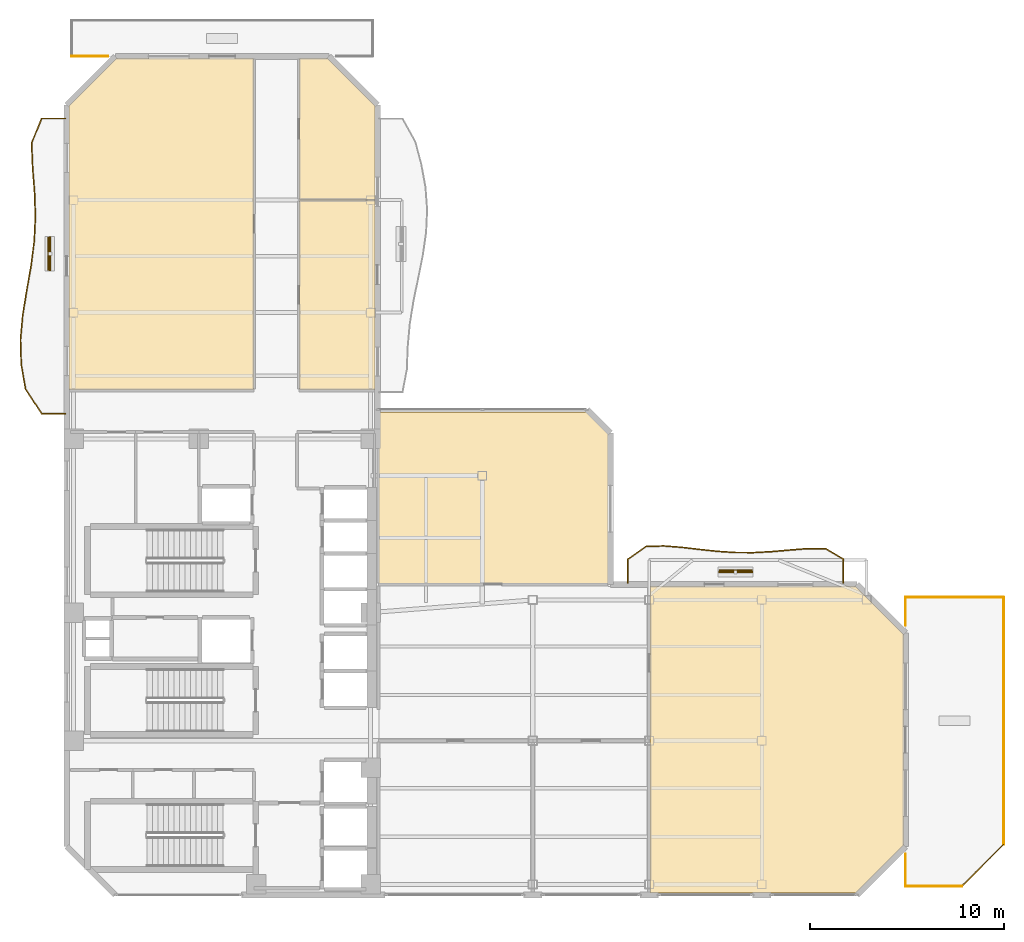
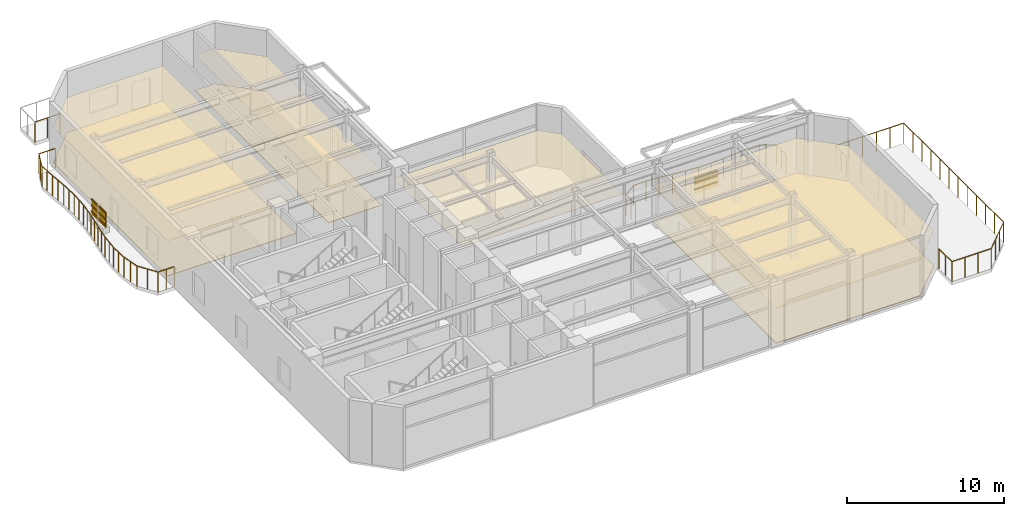
# One storey, part 15 of 16: 9 coverings, 9 railings, 8 shading devices.
"""IFC4 building model written with IfcOpenShell, lengths in metres."""

from ifc_helpers import new_model, si_unit, direction, frame, origin, origin_2d, place, context, subcontext, project, spatial, polyline, rectangle, outline, extrude, material, layer, layer_set, material_profile, profile_set, type_object, element, save


model = new_model("IFC4")

# Units and contexts
model_context = context("Model", 3, precision=1e-05, world=origin(), true_north=direction((0.0, 1.0)))
body_context = subcontext(model_context, "Body", "Model", "MODEL_VIEW")
ifc_project = project(units=[si_unit("LENGTHUNIT", "METRE"), si_unit("AREAUNIT", "SQUARE_METRE"), si_unit("VOLUMEUNIT", "CUBIC_METRE"), si_unit("PLANEANGLEUNIT", "RADIAN"), si_unit("MASSUNIT", "GRAM", prefix="KILO")], contexts=[model_context])

# Site, building, storey
site_placement = place(None, origin())
site = spatial("IfcSite", under=ifc_project, at=site_placement, CompositionType="ELEMENT")
building_placement = place(site_placement, origin())
building = spatial("IfcBuilding", under=site, at=building_placement, Name="Mawjaban Terraces University", CompositionType="ELEMENT")
storey_placement = place(building_placement, frame((0.0, 0.0, 170.800048828125)))
storey = spatial("IfcBuildingStorey", under=building, at=storey_placement, Name="L41", CompositionType="ELEMENT", Elevation=170.800048828125)

# Coverings
ifc_material_1 = material(Name="Acoustic mineral fibre ceiling tile", Category="masonry")
ifc_layer_1 = layer(ifc_material_1, 0.02001953125)
ifc_layer_set_1 = layer_set([ifc_layer_1], Name="Acoustic mineral fibre ceiling tile")
covering_type_1 = type_object("IfcCoveringType", Name="AcousticMineralCeiling_20", PredefinedType="CEILING", material=ifc_layer_set_1)
covering_1_placement = place(storey_placement, frame((0.0, 0.0, 2.75)))
element("IfcCovering", 1, at=covering_1_placement, inside=storey, type_object=covering_type_1, Name="L41 Mid-to-High Sky Lounge Acoustic Ceiling", PredefinedType="CEILING", context=body_context, shape_type="SweptSolid", body=[
    extrude(outline(polyline([(52.030029296875, 0.114990234375), (62.653076171875, 0.114990234375), (65.0849609375, 2.547119140625), (65.0849609375, 13.452880859375), (62.653076171875, 15.885009765625), (52.030029296875, 15.885009765625), (52.030029296875, 0.114990234375)])), origin(), (0.0, 0.0, 1.0), 0.02001953125),
])
covering_2_placement = place(storey_placement, frame((0.0, 0.0, 2.75)))
element("IfcCovering", 2, at=covering_2_placement, inside=storey, type_object=covering_type_1, Name="L41 Terrace Study Salon Acoustic Ceiling", PredefinedType="CEILING", context=body_context, shape_type="SweptSolid", body=[
    extrude(outline(polyline([(49.885009765625, 16.030029296875), (49.885009765625, 23.7529296875), (48.7529296875, 24.885009765625), (38.080078125, 24.885009765625), (38.080078125, 16.030029296875), (49.885009765625, 16.030029296875)])), origin(), (0.0, 0.0, 1.0), 0.02001953125),
])
covering_3_placement = place(storey_placement, frame((0.0, 0.0, 2.75)))
element("IfcCovering", 3, at=covering_3_placement, inside=storey, type_object=covering_type_1, Name="L41 Honours Seminar Room Acoustic Ceiling", PredefinedType="CEILING", context=body_context, shape_type="SweptSolid", body=[
    extrude(outline(polyline([(37.885009765625, 26.030029296875), (37.885009765625, 35.77001953125), (33.97998046875, 35.77001953125), (33.97998046875, 26.030029296875), (37.885009765625, 26.030029296875)])), origin(), (0.0, 0.0, 1.0), 0.02001953125),
])
covering_4_placement = place(storey_placement, frame((0.0, 0.0, 2.75)))
element("IfcCovering", 4, at=covering_4_placement, inside=storey, type_object=covering_type_1, Name="L41 Graduate Tutorial Room Acoustic Ceiling", PredefinedType="CEILING", context=body_context, shape_type="SweptSolid", body=[
    extrude(outline(polyline([(37.885009765625, 35.830078125), (37.885009765625, 40.653076171875), (35.452880859375, 43.0849609375), (33.97998046875, 43.0849609375), (33.97998046875, 35.830078125), (37.885009765625, 35.830078125)])), origin(), (0.0, 0.0, 1.0), 0.02001953125),
])
covering_5_placement = place(storey_placement, frame((0.0, 0.0, 2.75)))
element("IfcCovering", 5, at=covering_5_placement, inside=storey, type_object=covering_type_1, Name="L41 Quiet Reading Lounge Acoustic Ceiling", PredefinedType="CEILING", context=body_context, shape_type="SweptSolid", body=[
    extrude(outline(polyline([(31.6201171875, 43.0849609375), (24.547119140625, 43.0849609375), (22.114990234375, 40.653076171875), (22.114990234375, 26.030029296875), (31.6201171875, 26.030029296875), (31.6201171875, 43.0849609375)])), origin(), (0.0, 0.0, 1.0), 0.02001953125),
])

# Railings
ifc_material_2 = material(Name="Galvanised powder-coated steel S355", Category="steel")
railing_type = type_object("IfcRailingType", Name="BalconyBalustrade_1600", PredefinedType="BALUSTRADE", material=ifc_material_2)
railing_1_placement = place(storey_placement, frame((21.919921875, 24.800048828125, 0.0)))
element("IfcRailing", 6, at=railing_1_placement, inside=storey, type_object=railing_type, Name="L41 Balcony Guardrail west", PredefinedType="BALUSTRADE", context=body_context, shape_type="SweptSolid", body=[
    extrude(rectangle(XDim=0.048095703125, YDim=0.048095703125, at=origin_2d()), frame((0.0, 0.0, 1.576171875), z_axis=(-1.0, 0.0, 0.0), x_axis=(0.0, -1.0, 0.0)), (0.0, 0.0, 1.0), 1.219970703125),
    extrude(rectangle(XDim=0.048095703125, YDim=0.048095703125, at=origin_2d()), frame((-1.219970703125, 0.0, 1.576171875), z_axis=(-0.5470450604, 0.837103160842, 0.0), x_axis=(-0.837103160842, -0.5470450604, 0.0)), (0.0, 0.0, 1.0), 1.513427734375),
    extrude(rectangle(XDim=0.048095703125, YDim=0.048095703125, at=origin_2d()), frame((-2.0478515625, 1.266845703125, 1.576171875), z_axis=(-0.173568665192, 0.984821769897, 0.0), x_axis=(-0.984821769897, -0.173568665192, 0.0)), (0.0, 0.0, 1.0), 1.28564453125),
    extrude(rectangle(XDim=0.048095703125, YDim=0.048095703125, at=origin_2d()), frame((-2.27099609375, 2.532958984375, 1.576171875), z_axis=(-0.029082106154, 0.999577026097, 0.0), x_axis=(-0.999577026097, -0.029082106154, 0.0)), (0.0, 0.0, 1.0), 1.267578125),
    extrude(rectangle(XDim=0.048095703125, YDim=0.048095703125, at=origin_2d()), frame((-2.307861328125, 3.800048828125, 1.576171875), z_axis=(0.088874127313, 0.99604286529, 0.0), x_axis=(-0.99604286529, 0.088874127313, 0.0)), (0.0, 0.0, 1.0), 1.27197265625),
    extrude(rectangle(XDim=0.048095703125, YDim=0.048095703125, at=origin_2d()), frame((-2.19482421875, 5.06689453125, 1.576171875), z_axis=(0.161188642831, 0.986923614786, 0.0), x_axis=(-0.986923614786, 0.161188642831, 0.0)), (0.0, 0.0, 1.0), 1.282958984375),
    extrude(rectangle(XDim=0.048095703125, YDim=0.048095703125, at=origin_2d()), frame((-1.988037109375, 6.3330078125, 1.576171875), z_axis=(0.172734863386, 0.98496835836, 0.0), x_axis=(-0.98496835836, 0.172734863386, 0.0)), (0.0, 0.0, 1.0), 1.2861328125),
    extrude(rectangle(XDim=0.048095703125, YDim=0.048095703125, at=origin_2d()), frame((-1.765869140625, 7.599853515625, 1.576171875), z_axis=(0.128407863151, 0.991721443088, 0.0), x_axis=(-0.991721443088, 0.128407863151, 0.0)), (0.0, 0.0, 1.0), 1.277587890625),
    extrude(rectangle(XDim=0.048095703125, YDim=0.048095703125, at=origin_2d()), frame((-1.601806640625, 8.866943359375, 1.576171875), z_axis=(0.047189944818, 0.998885933982, 0.0), x_axis=(-0.998885933982, 0.047189944818, 0.0)), (0.0, 0.0, 1.0), 1.267578125),
    extrude(rectangle(XDim=0.048095703125, YDim=0.048095703125, at=origin_2d()), frame((-1.5419921875, 10.133056640625, 1.576171875), z_axis=(-0.033898410087, 0.999425283747, 0.0), x_axis=(-0.999425283747, -0.033898410087, 0.0)), (0.0, 0.0, 1.0), 1.267578125),
    extrude(rectangle(XDim=0.048095703125, YDim=0.048095703125, at=origin_2d()), frame((-1.5849609375, 11.39990234375, 1.576171875), z_axis=(-0.077034374457, 0.997028437484, 0.0), x_axis=(-0.997028437484, -0.077034374457, 0.0)), (0.0, 0.0, 1.0), 1.270751953125),
    extrude(rectangle(XDim=0.048095703125, YDim=0.048095703125, at=origin_2d()), frame((-1.682861328125, 12.6669921875, 1.576171875), z_axis=(-0.042584286596, 0.999092877832, 0.0), x_axis=(-0.999092877832, -0.042584286596, 0.0)), (0.0, 0.0, 1.0), 1.26708984375),
    extrude(rectangle(XDim=0.048095703125, YDim=0.048095703125, at=origin_2d()), frame((-1.73681640625, 13.932861328125, 1.576171875), z_axis=(0.377687880117, 0.925932970151, 0.0), x_axis=(-0.925932970151, 0.377687880117, 0.0)), (0.0, 0.0, 1.0), 1.368408203125),
    extrude(rectangle(XDim=0.048095703125, YDim=0.048095703125, at=origin_2d()), frame((-1.219970703125, 15.199951171875, 1.576171875), z_axis=(1.0, 0.0, 0.0), x_axis=(0.0, 1.0, 0.0)), (0.0, 0.0, 1.0), 1.219970703125),
    extrude(rectangle(XDim=0.0419921875, YDim=0.0419921875, at=origin_2d()), origin(), (0.0, 0.0, 1.0), 1.552001953125),
    extrude(rectangle(XDim=0.0419921875, YDim=0.0419921875, at=origin_2d()), frame((-0.60986328125, 0.0, 0.0)), (0.0, 0.0, 1.0), 1.552001953125),
    extrude(rectangle(XDim=0.0419921875, YDim=0.0419921875, at=origin_2d()), frame((-1.219970703125, 0.0, 0.0)), (0.0, 0.0, 1.0), 1.552001953125),
    extrude(rectangle(XDim=0.0419921875, YDim=0.0419921875, at=origin_2d()), frame((-1.6337890625, 0.63330078125, 0.0)), (0.0, 0.0, 1.0), 1.552001953125),
    extrude(rectangle(XDim=0.0419921875, YDim=0.0419921875, at=origin_2d()), frame((-2.0478515625, 1.266845703125, 0.0)), (0.0, 0.0, 1.0), 1.552001953125),
    extrude(rectangle(XDim=0.0419921875, YDim=0.0419921875, at=origin_2d()), frame((-2.159423828125, 1.89990234375, 0.0)), (0.0, 0.0, 1.0), 1.552001953125),
    extrude(rectangle(XDim=0.0419921875, YDim=0.0419921875, at=origin_2d()), frame((-2.27099609375, 2.532958984375, 0.0)), (0.0, 0.0, 1.0), 1.552001953125),
    extrude(rectangle(XDim=0.0419921875, YDim=0.0419921875, at=origin_2d()), frame((-2.28955078125, 3.16650390625, 0.0)), (0.0, 0.0, 1.0), 1.552001953125),
    extrude(rectangle(XDim=0.0419921875, YDim=0.0419921875, at=origin_2d()), frame((-2.307861328125, 3.800048828125, 0.0)), (0.0, 0.0, 1.0), 1.552001953125),
    extrude(rectangle(XDim=0.0419921875, YDim=0.0419921875, at=origin_2d()), frame((-2.25146484375, 4.43359375, 0.0)), (0.0, 0.0, 1.0), 1.552001953125),
    extrude(rectangle(XDim=0.0419921875, YDim=0.0419921875, at=origin_2d()), frame((-2.19482421875, 5.06689453125, 0.0)), (0.0, 0.0, 1.0), 1.552001953125),
    extrude(rectangle(XDim=0.0419921875, YDim=0.0419921875, at=origin_2d()), frame((-2.09130859375, 5.699951171875, 0.0)), (0.0, 0.0, 1.0), 1.552001953125),
    extrude(rectangle(XDim=0.0419921875, YDim=0.0419921875, at=origin_2d()), frame((-1.988037109375, 6.3330078125, 0.0)), (0.0, 0.0, 1.0), 1.552001953125),
    extrude(rectangle(XDim=0.0419921875, YDim=0.0419921875, at=origin_2d()), frame((-1.876953125, 6.96630859375, 0.0)), (0.0, 0.0, 1.0), 1.552001953125),
    extrude(rectangle(XDim=0.0419921875, YDim=0.0419921875, at=origin_2d()), frame((-1.765869140625, 7.599853515625, 0.0)), (0.0, 0.0, 1.0), 1.552001953125),
    extrude(rectangle(XDim=0.0419921875, YDim=0.0419921875, at=origin_2d()), frame((-1.683837890625, 8.2333984375, 0.0)), (0.0, 0.0, 1.0), 1.552001953125),
    extrude(rectangle(XDim=0.0419921875, YDim=0.0419921875, at=origin_2d()), frame((-1.601806640625, 8.866943359375, 0.0)), (0.0, 0.0, 1.0), 1.552001953125),
    extrude(rectangle(XDim=0.0419921875, YDim=0.0419921875, at=origin_2d()), frame((-1.57177734375, 9.5, 0.0)), (0.0, 0.0, 1.0), 1.552001953125),
    extrude(rectangle(XDim=0.0419921875, YDim=0.0419921875, at=origin_2d()), frame((-1.5419921875, 10.133056640625, 0.0)), (0.0, 0.0, 1.0), 1.552001953125),
    extrude(rectangle(XDim=0.0419921875, YDim=0.0419921875, at=origin_2d()), frame((-1.5634765625, 10.7666015625, 0.0)), (0.0, 0.0, 1.0), 1.552001953125),
    extrude(rectangle(XDim=0.0419921875, YDim=0.0419921875, at=origin_2d()), frame((-1.5849609375, 11.39990234375, 0.0)), (0.0, 0.0, 1.0), 1.552001953125),
    extrude(rectangle(XDim=0.0419921875, YDim=0.0419921875, at=origin_2d()), frame((-1.6337890625, 12.033447265625, 0.0)), (0.0, 0.0, 1.0), 1.552001953125),
    extrude(rectangle(XDim=0.0419921875, YDim=0.0419921875, at=origin_2d()), frame((-1.682861328125, 12.6669921875, 0.0)), (0.0, 0.0, 1.0), 1.552001953125),
    extrude(rectangle(XDim=0.0419921875, YDim=0.0419921875, at=origin_2d()), frame((-1.7099609375, 13.2998046875, 0.0)), (0.0, 0.0, 1.0), 1.552001953125),
    extrude(rectangle(XDim=0.0419921875, YDim=0.0419921875, at=origin_2d()), frame((-1.73681640625, 13.932861328125, 0.0)), (0.0, 0.0, 1.0), 1.552001953125),
    extrude(rectangle(XDim=0.0419921875, YDim=0.0419921875, at=origin_2d()), frame((-1.478515625, 14.56640625, 0.0)), (0.0, 0.0, 1.0), 1.552001953125),
    extrude(rectangle(XDim=0.0419921875, YDim=0.0419921875, at=origin_2d()), frame((-1.219970703125, 15.199951171875, 0.0)), (0.0, 0.0, 1.0), 1.552001953125),
    extrude(rectangle(XDim=0.0419921875, YDim=0.0419921875, at=origin_2d()), frame((-0.60986328125, 15.199951171875, 0.0)), (0.0, 0.0, 1.0), 1.552001953125),
    extrude(rectangle(XDim=0.0419921875, YDim=0.0419921875, at=origin_2d()), frame((0.0, 15.199951171875, 0.0)), (0.0, 0.0, 1.0), 1.552001953125),
])
railing_2_placement = place(storey_placement, frame((50.89990234375, 16.080078125, 0.0)))
element("IfcRailing", 7, at=railing_2_placement, inside=storey, type_object=railing_type, Name="L41 Balcony Guardrail inner_north", PredefinedType="BALUSTRADE", context=body_context, shape_type="SweptSolid", body=[
    extrude(rectangle(XDim=0.048095703125, YDim=0.048095703125, at=origin_2d()), frame((0.0, 0.0, 1.576171875), z_axis=(0.0, 1.0, 0.0), x_axis=(-1.0, 0.0, 0.0)), (0.0, 0.0, 1.0), 1.219970703125),
    extrude(rectangle(XDim=0.048095703125, YDim=0.048095703125, at=origin_2d()), frame((0.0, 1.219970703125, 1.576171875), z_axis=(0.816113366586, 0.57789183493, 0.0), x_axis=(-0.57789183493, 0.816113366586, 0.0)), (0.0, 0.0, 1.0), 1.133544921875),
    extrude(rectangle(XDim=0.048095703125, YDim=0.048095703125, at=origin_2d()), frame((0.925048828125, 1.875, 1.576171875), z_axis=(0.999473512656, 0.032445300094, 0.0), x_axis=(-0.032445300094, 0.999473512656, 0.0)), (0.0, 0.0, 1.0), 0.925537109375),
    extrude(rectangle(XDim=0.048095703125, YDim=0.048095703125, at=origin_2d()), frame((1.85009765625, 1.905029296875, 1.576171875), z_axis=(0.996982857195, -0.077622048792, 0.0), x_axis=(0.077622048792, 0.996982857195, 0.0)), (0.0, 0.0, 1.0), 0.927734375),
    extrude(rectangle(XDim=0.048095703125, YDim=0.048095703125, at=origin_2d()), frame((2.775146484375, 1.8330078125, 1.576171875), z_axis=(0.99311298172, -0.11716059721, 0.0), x_axis=(0.11716059721, 0.99311298172, 0.0)), (0.0, 0.0, 1.0), 0.931396484375),
    extrude(rectangle(XDim=0.048095703125, YDim=0.048095703125, at=origin_2d()), frame((3.7001953125, 1.723876953125, 1.576171875), z_axis=(0.994332962173, -0.106310678374, 0.0), x_axis=(0.106310678374, 0.994332962173, 0.0)), (0.0, 0.0, 1.0), 0.93017578125),
    extrude(rectangle(XDim=0.048095703125, YDim=0.048095703125, at=origin_2d()), frame((4.625, 1.625, 1.576171875), z_axis=(0.997899026058, -0.064788376989, 0.0), x_axis=(0.064788376989, 0.997899026058, 0.0)), (0.0, 0.0, 1.0), 0.927001953125),
    extrude(rectangle(XDim=0.048095703125, YDim=0.048095703125, at=origin_2d()), frame((5.550048828125, 1.56494140625, 1.576171875), z_axis=(0.999994984895, -0.003167046666, 0.0), x_axis=(0.003167046666, 0.999994984895, 0.0)), (0.0, 0.0, 1.0), 0.925048828125),
    extrude(rectangle(XDim=0.048095703125, YDim=0.048095703125, at=origin_2d()), frame((6.47509765625, 1.56201171875, 1.576171875), z_axis=(0.998553767234, 0.053762198078, 0.0), x_axis=(-0.053762198078, 0.998553767234, 0.0)), (0.0, 0.0, 1.0), 0.92626953125),
    extrude(rectangle(XDim=0.048095703125, YDim=0.048095703125, at=origin_2d()), frame((7.400146484375, 1.61181640625, 1.576171875), z_axis=(0.996183151207, 0.0872876237, 0.0), x_axis=(-0.0872876237, 0.996183151207, 0.0)), (0.0, 0.0, 1.0), 0.9287109375),
    extrude(rectangle(XDim=0.048095703125, YDim=0.048095703125, at=origin_2d()), frame((8.3251953125, 1.69287109375, 1.576171875), z_axis=(0.99681611521, 0.079734763175, 0.0), x_axis=(-0.079734763175, 0.99681611521, 0.0)), (0.0, 0.0, 1.0), 0.927734375),
    extrude(rectangle(XDim=0.048095703125, YDim=0.048095703125, at=origin_2d()), frame((9.25, 1.766845703125, 1.576171875), z_axis=(1.0, 0.0, 0.0), x_axis=(0.0, 1.0, 0.0)), (0.0, 0.0, 1.0), 0.925048828125),
    extrude(rectangle(XDim=0.048095703125, YDim=0.048095703125, at=origin_2d()), frame((10.175048828125, 1.766845703125, 1.576171875), z_axis=(0.860822482992, -0.50890534756, 0.0), x_axis=(0.50890534756, 0.860822482992, 0.0)), (0.0, 0.0, 1.0), 1.07470703125),
    extrude(rectangle(XDim=0.048095703125, YDim=0.048095703125, at=origin_2d()), frame((11.10009765625, 1.219970703125, 1.576171875), z_axis=(0.0, -1.0, 0.0), x_axis=(1.0, 0.0, 0.0)), (0.0, 0.0, 1.0), 1.219970703125),
    extrude(rectangle(XDim=0.0419921875, YDim=0.0419921875, at=origin_2d()), origin(), (0.0, 0.0, 1.0), 1.552001953125),
    extrude(rectangle(XDim=0.0419921875, YDim=0.0419921875, at=origin_2d()), frame((0.0, 0.60986328125, 0.0)), (0.0, 0.0, 1.0), 1.552001953125),
    extrude(rectangle(XDim=0.0419921875, YDim=0.0419921875, at=origin_2d()), frame((0.0, 1.219970703125, 0.0)), (0.0, 0.0, 1.0), 1.552001953125),
    extrude(rectangle(XDim=0.0419921875, YDim=0.0419921875, at=origin_2d()), frame((0.925048828125, 1.875, 0.0)), (0.0, 0.0, 1.0), 1.552001953125),
    extrude(rectangle(XDim=0.0419921875, YDim=0.0419921875, at=origin_2d()), frame((1.85009765625, 1.905029296875, 0.0)), (0.0, 0.0, 1.0), 1.552001953125),
    extrude(rectangle(XDim=0.0419921875, YDim=0.0419921875, at=origin_2d()), frame((2.775146484375, 1.8330078125, 0.0)), (0.0, 0.0, 1.0), 1.552001953125),
    extrude(rectangle(XDim=0.0419921875, YDim=0.0419921875, at=origin_2d()), frame((3.7001953125, 1.723876953125, 0.0)), (0.0, 0.0, 1.0), 1.552001953125),
    extrude(rectangle(XDim=0.0419921875, YDim=0.0419921875, at=origin_2d()), frame((4.625, 1.625, 0.0)), (0.0, 0.0, 1.0), 1.552001953125),
    extrude(rectangle(XDim=0.0419921875, YDim=0.0419921875, at=origin_2d()), frame((5.550048828125, 1.56494140625, 0.0)), (0.0, 0.0, 1.0), 1.552001953125),
    extrude(rectangle(XDim=0.0419921875, YDim=0.0419921875, at=origin_2d()), frame((6.47509765625, 1.56201171875, 0.0)), (0.0, 0.0, 1.0), 1.552001953125),
    extrude(rectangle(XDim=0.0419921875, YDim=0.0419921875, at=origin_2d()), frame((7.400146484375, 1.61181640625, 0.0)), (0.0, 0.0, 1.0), 1.552001953125),
    extrude(rectangle(XDim=0.0419921875, YDim=0.0419921875, at=origin_2d()), frame((8.3251953125, 1.69287109375, 0.0)), (0.0, 0.0, 1.0), 1.552001953125),
    extrude(rectangle(XDim=0.0419921875, YDim=0.0419921875, at=origin_2d()), frame((9.25, 1.766845703125, 0.0)), (0.0, 0.0, 1.0), 1.552001953125),
    extrude(rectangle(XDim=0.0419921875, YDim=0.0419921875, at=origin_2d()), frame((10.175048828125, 1.766845703125, 0.0)), (0.0, 0.0, 1.0), 1.552001953125),
    extrude(rectangle(XDim=0.0419921875, YDim=0.0419921875, at=origin_2d()), frame((11.10009765625, 1.219970703125, 0.0)), (0.0, 0.0, 1.0), 1.552001953125),
    extrude(rectangle(XDim=0.0419921875, YDim=0.0419921875, at=origin_2d()), frame((11.10009765625, 0.60986328125, 0.0)), (0.0, 0.0, 1.0), 1.552001953125),
    extrude(rectangle(XDim=0.0419921875, YDim=0.0419921875, at=origin_2d()), frame((11.10009765625, 0.0, 0.0)), (0.0, 0.0, 1.0), 1.552001953125),
])
railing_3_placement = place(storey_placement, frame((65.199951171875, 0.449951171875, 0.0)))
element("IfcRailing", 8, at=railing_3_placement, inside=storey, type_object=railing_type, Name="L41 Terrace Guardrail TER-L41-EAST.1", PredefinedType="BALUSTRADE", context=body_context, shape_type="SweptSolid", body=[
    extrude(rectangle(XDim=0.048095703125, YDim=0.048095703125, at=origin_2d()), frame((0.0, 0.0, 1.576171875), z_axis=(1.0, 0.0, 0.0), x_axis=(0.0, 1.0, 0.0)), (0.0, 0.0, 1.0), 2.900146484375),
    extrude(rectangle(XDim=0.0419921875, YDim=0.0419921875, at=origin_2d()), origin(), (0.0, 0.0, 1.0), 1.552001953125),
    extrude(rectangle(XDim=0.0419921875, YDim=0.0419921875, at=origin_2d()), frame((0.966796875, 0.0, 0.0)), (0.0, 0.0, 1.0), 1.552001953125),
    extrude(rectangle(XDim=0.0419921875, YDim=0.0419921875, at=origin_2d()), frame((1.933349609375, 0.0, 0.0)), (0.0, 0.0, 1.0), 1.552001953125),
    extrude(rectangle(XDim=0.0419921875, YDim=0.0419921875, at=origin_2d()), frame((2.900146484375, 0.0, 0.0)), (0.0, 0.0, 1.0), 1.552001953125),
])
railing_4_placement = place(storey_placement, frame((68.10009765625, 0.449951171875, 0.0)))
element("IfcRailing", 9, at=railing_4_placement, inside=storey, type_object=railing_type, Name="L41 Terrace Guardrail TER-L41-EAST.2", PredefinedType="BALUSTRADE", context=body_context, shape_type="SweptSolid", body=[
    extrude(rectangle(XDim=0.048095703125, YDim=0.048095703125, at=origin_2d()), frame((0.0, 0.0, 1.576171875), z_axis=(0.707066633179, 0.707146926915, 0.0), x_axis=(-0.707146926915, 0.707066633179, 0.0)), (0.0, 0.0, 1.0), 3.04052734375),
    extrude(rectangle(XDim=0.0419921875, YDim=0.0419921875, at=origin_2d()), origin(), (0.0, 0.0, 1.0), 1.552001953125),
    extrude(rectangle(XDim=0.0419921875, YDim=0.0419921875, at=origin_2d()), frame((0.716552734375, 0.716796875, 0.0)), (0.0, 0.0, 1.0), 1.552001953125),
    extrude(rectangle(XDim=0.0419921875, YDim=0.0419921875, at=origin_2d()), frame((1.433349609375, 1.433349609375, 0.0)), (0.0, 0.0, 1.0), 1.552001953125),
    extrude(rectangle(XDim=0.0419921875, YDim=0.0419921875, at=origin_2d()), frame((2.14990234375, 2.150146484375, 0.0)), (0.0, 0.0, 1.0), 1.552001953125),
])
railing_5_placement = place(storey_placement, frame((70.25, 2.60009765625, 0.0)))
element("IfcRailing", 10, at=railing_5_placement, inside=storey, type_object=railing_type, Name="L41 Terrace Guardrail TER-L41-EAST.3", PredefinedType="BALUSTRADE", context=body_context, shape_type="SweptSolid", body=[
    extrude(rectangle(XDim=0.048095703125, YDim=0.048095703125, at=origin_2d()), frame((0.0, 0.0, 1.576171875), z_axis=(0.0, 1.0, 0.0), x_axis=(-1.0, 0.0, 0.0)), (0.0, 0.0, 1.0), 12.75),
    extrude(rectangle(XDim=0.0419921875, YDim=0.0419921875, at=origin_2d()), origin(), (0.0, 0.0, 1.0), 1.552001953125),
    extrude(rectangle(XDim=0.0419921875, YDim=0.0419921875, at=origin_2d()), frame((0.0, 1.1591796875, 0.0)), (0.0, 0.0, 1.0), 1.552001953125),
    extrude(rectangle(XDim=0.0419921875, YDim=0.0419921875, at=origin_2d()), frame((0.0, 2.318115234375, 0.0)), (0.0, 0.0, 1.0), 1.552001953125),
    extrude(rectangle(XDim=0.0419921875, YDim=0.0419921875, at=origin_2d()), frame((0.0, 3.477294921875, 0.0)), (0.0, 0.0, 1.0), 1.552001953125),
    extrude(rectangle(XDim=0.0419921875, YDim=0.0419921875, at=origin_2d()), frame((0.0, 4.636474609375, 0.0)), (0.0, 0.0, 1.0), 1.552001953125),
    extrude(rectangle(XDim=0.0419921875, YDim=0.0419921875, at=origin_2d()), frame((0.0, 5.79541015625, 0.0)), (0.0, 0.0, 1.0), 1.552001953125),
    extrude(rectangle(XDim=0.0419921875, YDim=0.0419921875, at=origin_2d()), frame((0.0, 6.95458984375, 0.0)), (0.0, 0.0, 1.0), 1.552001953125),
    extrude(rectangle(XDim=0.0419921875, YDim=0.0419921875, at=origin_2d()), frame((0.0, 8.113525390625, 0.0)), (0.0, 0.0, 1.0), 1.552001953125),
    extrude(rectangle(XDim=0.0419921875, YDim=0.0419921875, at=origin_2d()), frame((0.0, 9.272705078125, 0.0)), (0.0, 0.0, 1.0), 1.552001953125),
    extrude(rectangle(XDim=0.0419921875, YDim=0.0419921875, at=origin_2d()), frame((0.0, 10.431884765625, 0.0)), (0.0, 0.0, 1.0), 1.552001953125),
    extrude(rectangle(XDim=0.0419921875, YDim=0.0419921875, at=origin_2d()), frame((0.0, 11.5908203125, 0.0)), (0.0, 0.0, 1.0), 1.552001953125),
    extrude(rectangle(XDim=0.0419921875, YDim=0.0419921875, at=origin_2d()), frame((0.0, 12.75, 0.0)), (0.0, 0.0, 1.0), 1.552001953125),
])
railing_6_placement = place(storey_placement, frame((70.25, 15.35009765625, 0.0)))
element("IfcRailing", 11, at=railing_6_placement, inside=storey, type_object=railing_type, Name="L41 Terrace Guardrail TER-L41-EAST.4", PredefinedType="BALUSTRADE", context=body_context, shape_type="SweptSolid", body=[
    extrude(rectangle(XDim=0.048095703125, YDim=0.048095703125, at=origin_2d()), frame((0.0, 0.0, 1.576171875), z_axis=(-1.0, 0.0, 0.0), x_axis=(0.0, -1.0, 0.0)), (0.0, 0.0, 1.0), 5.050048828125),
    extrude(rectangle(XDim=0.0419921875, YDim=0.0419921875, at=origin_2d()), origin(), (0.0, 0.0, 1.0), 1.552001953125),
    extrude(rectangle(XDim=0.0419921875, YDim=0.0419921875, at=origin_2d()), frame((-1.010009765625, 0.0, 0.0)), (0.0, 0.0, 1.0), 1.552001953125),
    extrude(rectangle(XDim=0.0419921875, YDim=0.0419921875, at=origin_2d()), frame((-2.02001953125, 0.0, 0.0)), (0.0, 0.0, 1.0), 1.552001953125),
    extrude(rectangle(XDim=0.0419921875, YDim=0.0419921875, at=origin_2d()), frame((-3.030029296875, 0.0, 0.0)), (0.0, 0.0, 1.0), 1.552001953125),
    extrude(rectangle(XDim=0.0419921875, YDim=0.0419921875, at=origin_2d()), frame((-4.0400390625, 0.0, 0.0)), (0.0, 0.0, 1.0), 1.552001953125),
    extrude(rectangle(XDim=0.0419921875, YDim=0.0419921875, at=origin_2d()), frame((-5.050048828125, 0.0, 0.0)), (0.0, 0.0, 1.0), 1.552001953125),
])
railing_7_placement = place(storey_placement, frame((65.199951171875, 15.35009765625, 0.0)))
element("IfcRailing", 12, at=railing_7_placement, inside=storey, type_object=railing_type, Name="L41 Terrace Guardrail TER-L41-EAST.5", PredefinedType="BALUSTRADE", context=body_context, shape_type="SweptSolid", body=[
    extrude(rectangle(XDim=0.048095703125, YDim=0.048095703125, at=origin_2d()), frame((0.0, 0.0, 1.576171875), z_axis=(0.0, -1.0, 0.0), x_axis=(1.0, 0.0, 0.0)), (0.0, 0.0, 1.0), 1.4541015625),
    extrude(rectangle(XDim=0.0419921875, YDim=0.0419921875, at=origin_2d()), origin(), (0.0, 0.0, 1.0), 1.552001953125),
    extrude(rectangle(XDim=0.0419921875, YDim=0.0419921875, at=origin_2d()), frame((0.0, -0.72705078125, 0.0)), (0.0, 0.0, 1.0), 1.552001953125),
    extrude(rectangle(XDim=0.0419921875, YDim=0.0419921875, at=origin_2d()), frame((0.0, -1.4541015625, 0.0)), (0.0, 0.0, 1.0), 1.552001953125),
])
railing_8_placement = place(storey_placement, frame((65.199951171875, 2.10400390625, 0.0)))
element("IfcRailing", 13, at=railing_8_placement, inside=storey, type_object=railing_type, Name="L41 Terrace Guardrail TER-L41-EAST.6", PredefinedType="BALUSTRADE", context=body_context, shape_type="SweptSolid", body=[
    extrude(rectangle(XDim=0.048095703125, YDim=0.048095703125, at=origin_2d()), frame((0.0, 0.0, 1.576171875), z_axis=(0.0, -1.0, 0.0), x_axis=(1.0, 0.0, 0.0)), (0.0, 0.0, 1.0), 1.654052734375),
    extrude(rectangle(XDim=0.0419921875, YDim=0.0419921875, at=origin_2d()), origin(), (0.0, 0.0, 1.0), 1.552001953125),
    extrude(rectangle(XDim=0.0419921875, YDim=0.0419921875, at=origin_2d()), frame((0.0, -0.8271484375, 0.0)), (0.0, 0.0, 1.0), 1.552001953125),
    extrude(rectangle(XDim=0.0419921875, YDim=0.0419921875, at=origin_2d()), frame((0.0, -1.654052734375, 0.0)), (0.0, 0.0, 1.0), 1.552001953125),
])
railing_9_placement = place(storey_placement, frame((22.25, 43.199951171875, 0.0)))
element("IfcRailing", 14, at=railing_9_placement, inside=storey, type_object=railing_type, Name="L41 Terrace Guardrail TER-L41-NORTH.1", PredefinedType="BALUSTRADE", context=body_context, shape_type="SweptSolid", body=[
    extrude(rectangle(XDim=0.048095703125, YDim=0.048095703125, at=origin_2d()), frame((0.0, 0.0, 1.576171875), z_axis=(1.0, 0.0, 0.0), x_axis=(0.0, 1.0, 0.0)), (0.0, 0.0, 1.0), 1.85400390625),
    extrude(rectangle(XDim=0.0419921875, YDim=0.0419921875, at=origin_2d()), origin(), (0.0, 0.0, 1.0), 1.552001953125),
    extrude(rectangle(XDim=0.0419921875, YDim=0.0419921875, at=origin_2d()), frame((0.927001953125, 0.0, 0.0)), (0.0, 0.0, 1.0), 1.552001953125),
    extrude(rectangle(XDim=0.0419921875, YDim=0.0419921875, at=origin_2d()), frame((1.85400390625, 0.0, 0.0)), (0.0, 0.0, 1.0), 1.552001953125),
])

# Shading devices
ifc_material_3 = material(Name="Glazed architectural terracotta ceramic", Category="masonry")
ifc_material_profile = material_profile(ifc_material_3, rectangle(XDim=0.06494140625, YDim=0.110107421875, at=origin_2d()), Name="TBAG110X65")
ifc_profile_set = profile_set([ifc_material_profile], Name="Glazed architectural terracotta ceramic")
shading_device_type_1 = type_object("IfcShadingDeviceType", Name="TerracottaBaguette_110x65", PredefinedType="USERDEFINED", material=ifc_profile_set)
for number, where, z_axis, x_axis, name in (
    (15, (21.0380859375, 32.18408203125, 0.679931640625), (0.0, 1.0, 0.0), (-1.0, 0.0, 0.0), "L41 Horizontal Terracotta Baguette west.1"),
    (16, (21.0380859375, 32.18408203125, 1.14990234375), (0.0, 1.0, 0.0), (-1.0, 0.0, 0.0), "L41 Horizontal Terracotta Baguette west.2"),
    (17, (21.0380859375, 32.18408203125, 1.619873046875), (0.0, 1.0, 0.0), (-1.0, 0.0, 0.0), "L41 Horizontal Terracotta Baguette west.3"),
    (18, (55.60009765625, 16.72998046875, 0.679931640625), (1.0, 0.0, 0.0), (0.0, 1.0, 0.0), "L41 Horizontal Terracotta Baguette inner_north.1"),
    (19, (55.60009765625, 16.72998046875, 1.14990234375), (1.0, 0.0, 0.0), (0.0, 1.0, 0.0), "L41 Horizontal Terracotta Baguette inner_north.2"),
    (20, (55.60009765625, 16.72998046875, 1.619873046875), (1.0, 0.0, 0.0), (0.0, 1.0, 0.0), "L41 Horizontal Terracotta Baguette inner_north.3"),
):
    element("IfcShadingDevice", number, at=place(storey_placement, frame(where, z_axis=z_axis, x_axis=x_axis)), inside=storey, type_object=shading_device_type_1, Name=name, ObjectType="BAGUETTE", PredefinedType="USERDEFINED", context=body_context, shape_type="SweptSolid", body=[
        extrude(rectangle(XDim=0.06494140625, YDim=0.110107421875, at=origin_2d()), origin(), (0.0, 0.0, 1.0), 1.699951171875),
    ])
ifc_layer_2 = layer(ifc_material_3, 0.080078125)
ifc_layer_set_2 = layer_set([ifc_layer_2], Name="Glazed architectural terracotta ceramic")
shading_device_type_2 = type_object("IfcShadingDeviceType", Name="TerracottaScreen_Perforated", PredefinedType="USERDEFINED", material=ifc_layer_set_2)
for number, where, z_axis, x_axis, name in (
    (21, (21.123046875, 33.033935546875, 0.43994140625), (0.0, 0.0, 1.0), (0.0, 1.0, 0.0), "L41 Balcony Perforated Terracotta Screen west"),
    (22, (56.449951171875, 16.64501953125, 0.43994140625), (0.0, 0.0, 1.0), (1.0, 0.0, 0.0), "L41 Balcony Perforated Terracotta Screen inner_north"),
):
    element("IfcShadingDevice", number, at=place(storey_placement, frame(where, z_axis=z_axis, x_axis=x_axis)), inside=storey, type_object=shading_device_type_2, Name=name, ObjectType="SCREEN", PredefinedType="USERDEFINED", context=body_context, shape_type="SweptSolid", body=[
        extrude(rectangle(XDim=1.75, YDim=0.080078125, at=origin_2d()), origin(), (0.0, 0.0, 1.0), 1.14990234375),
    ])

# Coverings
ifc_material_4 = material(Name="Polished Hijazi granite terrazzo flooring", Category="masonry")
ifc_layer_3 = layer(ifc_material_4, 0.02490234375)
ifc_layer_set_3 = layer_set([ifc_layer_3], Name="Polished Hijazi granite terrazzo flooring")
covering_type_2 = type_object("IfcCoveringType", Name="TerrazzoConcourseFlooring_25", PredefinedType="FLOORING", material=ifc_layer_set_3)
covering_6_placement = place(storey_placement, origin())
element("IfcCovering", 23, at=covering_6_placement, inside=storey, type_object=covering_type_2, Name="L41 Mid-to-High Sky Lounge Terrazzo Flooring", PredefinedType="FLOORING", context=body_context, shape_type="SweptSolid", body=[
    extrude(outline(polyline([(52.030029296875, 0.114990234375), (62.653076171875, 0.114990234375), (65.0849609375, 2.547119140625), (65.0849609375, 13.452880859375), (62.653076171875, 15.885009765625), (52.030029296875, 15.885009765625), (52.030029296875, 0.114990234375)])), origin(), (0.0, 0.0, 1.0), 0.02490234375),
])
covering_7_placement = place(storey_placement, origin())
element("IfcCovering", 24, at=covering_7_placement, inside=storey, type_object=covering_type_2, Name="L41 Honours Seminar Room Terrazzo Flooring", PredefinedType="FLOORING", context=body_context, shape_type="SweptSolid", body=[
    extrude(outline(polyline([(37.885009765625, 26.030029296875), (37.885009765625, 35.77001953125), (33.97998046875, 35.77001953125), (33.97998046875, 26.030029296875), (37.885009765625, 26.030029296875)])), origin(), (0.0, 0.0, 1.0), 0.02490234375),
])
covering_8_placement = place(storey_placement, origin())
element("IfcCovering", 25, at=covering_8_placement, inside=storey, type_object=covering_type_2, Name="L41 Graduate Tutorial Room Terrazzo Flooring", PredefinedType="FLOORING", context=body_context, shape_type="SweptSolid", body=[
    extrude(outline(polyline([(37.885009765625, 35.830078125), (37.885009765625, 40.653076171875), (35.452880859375, 43.0849609375), (33.97998046875, 43.0849609375), (33.97998046875, 35.830078125), (37.885009765625, 35.830078125)])), origin(), (0.0, 0.0, 1.0), 0.02490234375),
])
covering_9_placement = place(storey_placement, origin())
element("IfcCovering", 26, at=covering_9_placement, inside=storey, type_object=covering_type_2, Name="L41 Quiet Reading Lounge Terrazzo Flooring", PredefinedType="FLOORING", context=body_context, shape_type="SweptSolid", body=[
    extrude(outline(polyline([(31.6201171875, 43.0849609375), (24.547119140625, 43.0849609375), (22.114990234375, 40.653076171875), (22.114990234375, 26.030029296875), (31.6201171875, 26.030029296875), (31.6201171875, 43.0849609375)])), origin(), (0.0, 0.0, 1.0), 0.02490234375),
])

save(model, "model.ifc")
